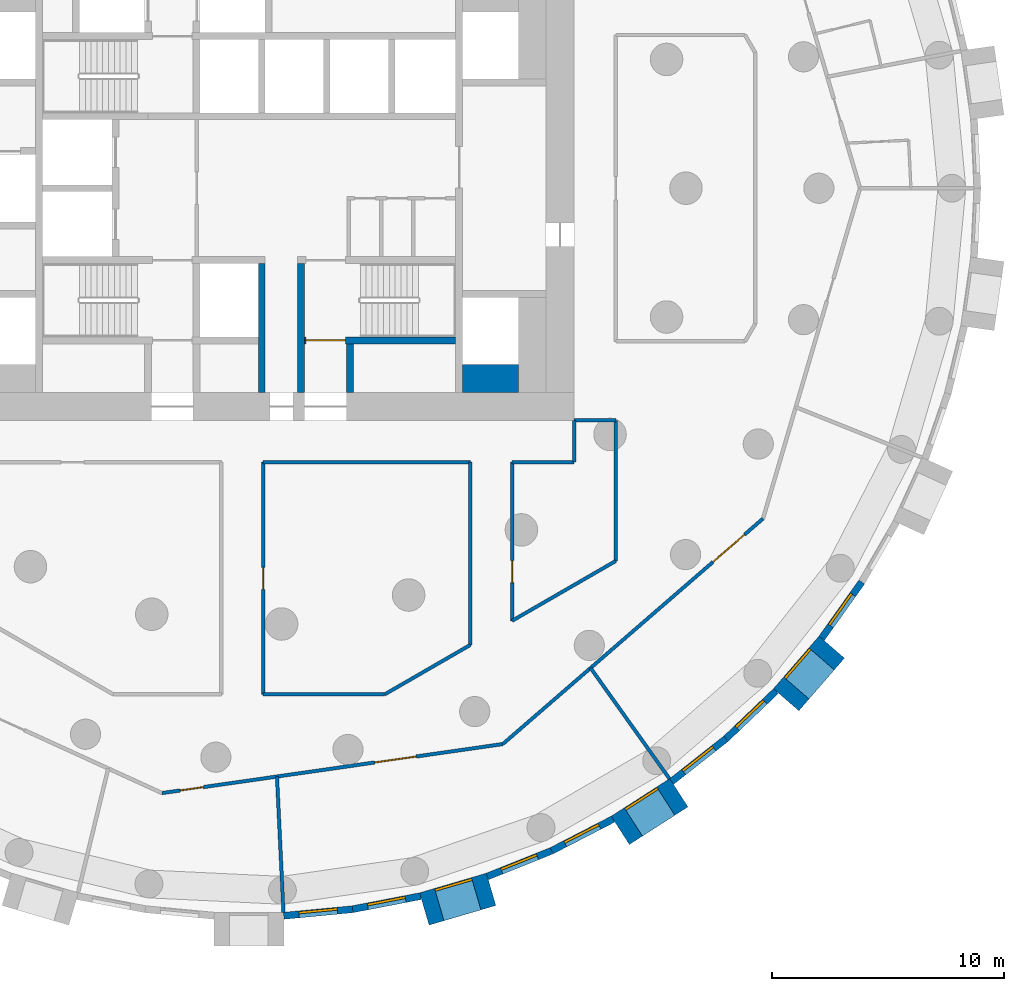
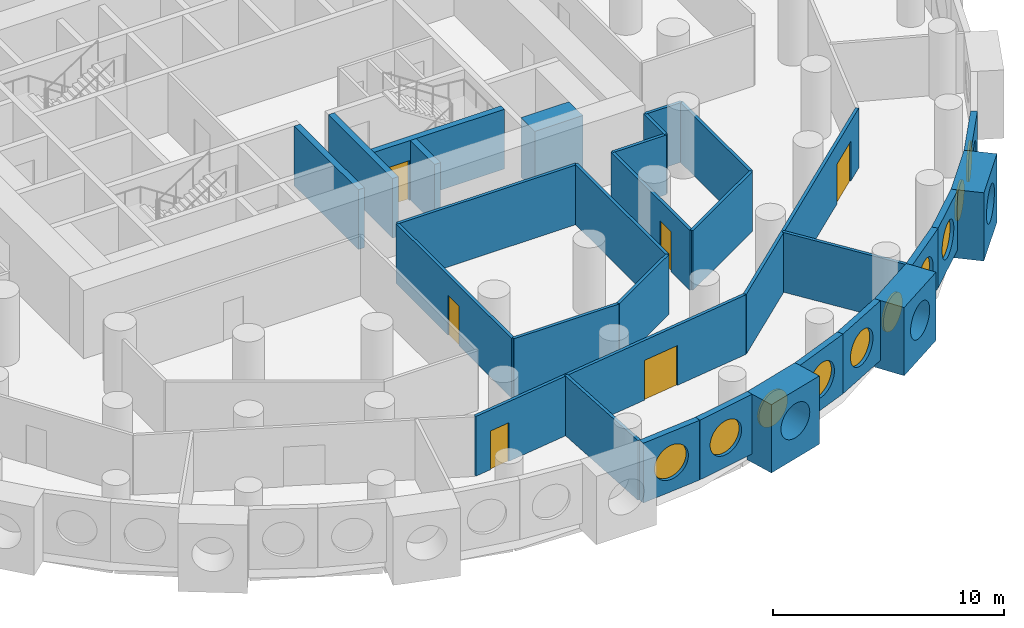
# One storey, part 5 of 12: 30 walls, 10 windows, 6 doors, 16 openings.
"""IFC4 building model written with IfcOpenShell, lengths in metres."""

from ifc_helpers import new_model, si_unit, direction, frame, frame_2d, origin, origin_2d, place, context, subcontext, project, spatial, rectangle, circle, extrude, material, layer, layer_set, type_object, element, fill, save


model = new_model("IFC4")

# Units and contexts
model_context = context("Model", 3, precision=1e-05, world=origin(), true_north=direction((0.0, 1.0)))
body_context = subcontext(model_context, "Body", "Model", "MODEL_VIEW")
ifc_project = project(units=[si_unit("LENGTHUNIT", "METRE"), si_unit("AREAUNIT", "SQUARE_METRE"), si_unit("VOLUMEUNIT", "CUBIC_METRE"), si_unit("PLANEANGLEUNIT", "RADIAN"), si_unit("MASSUNIT", "GRAM", prefix="KILO")], contexts=[model_context])

# Site, building, storey
site_placement = place(None, origin())
site = spatial("IfcSite", under=ifc_project, at=site_placement, CompositionType="ELEMENT")
building_placement = place(site_placement, origin())
building = spatial("IfcBuilding", under=site, at=building_placement, Name="Tracery Tower", CompositionType="ELEMENT")
storey_placement = place(building_placement, frame((0.0, 0.0, 103.800048828125)))
storey = spatial("IfcBuildingStorey", under=building, at=storey_placement, Name="L26", CompositionType="ELEMENT", Elevation=103.800048828125)

# Wall
ifc_material_1 = material(Name="Concrete C60/75", Category="concrete")
ifc_layer_1 = layer(ifc_material_1, 1.199951171875)
ifc_layer_set_1 = layer_set([ifc_layer_1], Name="Core strip wall 1200 C60")
wall_type_1 = type_object("IfcWallType", Name="Core strip wall 1200 C60", PredefinedType="SOLIDWALL", material=ifc_layer_set_1)
wall_1_placement = place(storey_placement, frame((9.199951171875, -8.199951171875, 0.0), z_axis=(0.0, 0.0, 1.0), x_axis=(1.0, 0.0, 0.0)))
element("IfcWall", 1, at=wall_1_placement, inside=storey, type_object=wall_type_1, Name="L26 wing corner +1 -8.2", PredefinedType="SOLIDWALL", context=body_context, shape_type="SweptSolid", body=[
    extrude(rectangle(XDim=2.400146484375, YDim=1.199951171875, at=frame_2d((1.2001953125, 0.0))), origin(), (0.0, 0.0, 1.0), 3.14990234375),
])

# Wall, opening, window
ifc_material_2 = material(Name="Precast concrete C50/60", Category="concrete")
ifc_layer_2 = layer(ifc_material_2, 1.449951171875)
ifc_layer_set_2 = layer_set([ifc_layer_2], Name="Deep-set bay unit 3000 x 3600, slab edge 450")
wall_type_2 = type_object("IfcWallType", Name="Deep-set bay unit 3000 x 3600, slab edge 450", PredefinedType="ELEMENTEDWALL", material=ifc_layer_set_2)
wall_2_placement = place(storey_placement, frame((7.552001953125, -31.043701171875, -0.449951171875), z_axis=(0.0, 0.0, 1.0), x_axis=(0.959489813418, 0.281743319258, 0.0)))
wall_2 = element("IfcWall", 2, at=wall_2_placement, inside=storey, type_object=wall_type_2, Name="Deep-set bay unit 53 at L26", PredefinedType="ELEMENTEDWALL", context=body_context, shape_type="SweptSolid", body=[
    extrude(rectangle(XDim=3.0, YDim=1.449951171875, at=frame_2d((1.5, 0.0))), origin(), (0.0, 0.0, 1.0), 3.599853515625),
])
opening_1_placement = place(wall_2_placement, frame((1.5, 0.0, 2.0)))
opening_1 = element("IfcOpeningElement", 3, at=opening_1_placement, cuts=wall_2, Name="Opening WN1", PredefinedType="OPENING", context=body_context, shape_type="SweptSolid", body=[
    extrude(circle(Radius=0.9000244140625, at=origin_2d()), frame((0.0, 0.73486328125, 0.0), z_axis=(0.0, -1.0, 0.0), x_axis=(1.0, 0.0, 0.0)), (0.0, 0.0, 1.0), 1.469970703125),
])
ifc_material_3 = material(Name="Aluminium frame with tinted double glazing", Category="aluminium")
window_type = type_object("IfcWindowType", Name="Round window 1800", PartitioningType="SINGLE_PANEL", PredefinedType="WINDOW", material=ifc_material_3)
window_1_placement = place(opening_1_placement, origin())
window_1 = element("IfcWindow", 4, at=window_1_placement, inside=storey, type_object=window_type, Name="Round window 53 at L26", OverallHeight=1.800048828125, OverallWidth=1.800048828125, PartitioningType="SINGLE_PANEL", PredefinedType="WINDOW", context=body_context, shape_type="SweptSolid", body=[
    extrude(circle(Radius=0.9000244140625, at=origin_2d()), frame((0.0, 0.69482421875, 0.0), z_axis=(0.0, -1.0, 0.0), x_axis=(1.0, 0.0, 0.0)), (0.0, 0.0, 1.0), 0.10009765625),
])
fill(opening_1, window_1)

wall_3_placement = place(storey_placement, frame((15.9921875, -27.65869140625, -0.449951171875), z_axis=(0.0, 0.0, 1.0), x_axis=(0.841223422347, 0.540687667415, 0.0)))
wall_3 = element("IfcWall", 5, at=wall_3_placement, inside=storey, type_object=wall_type_2, Name="Deep-set bay unit 56 at L26", PredefinedType="ELEMENTEDWALL", context=body_context, shape_type="SweptSolid", body=[
    extrude(rectangle(XDim=3.0, YDim=1.449951171875, at=frame_2d((1.5, 0.0))), origin(), (0.0, 0.0, 1.0), 3.599853515625),
])
opening_2_placement = place(wall_3_placement, frame((1.5, 0.0, 2.0)))
opening_2 = element("IfcOpeningElement", 6, at=opening_2_placement, cuts=wall_3, Name="Opening WN1", PredefinedType="OPENING", context=body_context, shape_type="SweptSolid", body=[
    extrude(circle(Radius=0.9000244140625, at=origin_2d()), frame((0.0, 0.73486328125, 0.0), z_axis=(0.0, -1.0, 0.0), x_axis=(1.0, 0.0, 0.0)), (0.0, 0.0, 1.0), 1.469970703125),
])
window_2_placement = place(opening_2_placement, origin())
window_2 = element("IfcWindow", 7, at=window_2_placement, inside=storey, type_object=window_type, Name="Round window 56 at L26", OverallHeight=1.800048828125, OverallWidth=1.800048828125, PartitioningType="SINGLE_PANEL", PredefinedType="WINDOW", context=body_context, shape_type="SweptSolid", body=[
    extrude(circle(Radius=0.9000244140625, at=origin_2d()), frame((0.0, 0.69482421875, 0.0), z_axis=(0.0, -1.0, 0.0), x_axis=(1.0, 0.0, 0.0)), (0.0, 0.0, 1.0), 0.10009765625),
])
fill(opening_2, window_2)

wall_4_placement = place(storey_placement, frame((23.13671875, -22.03271484375, -0.449951171875), z_axis=(0.0, 0.0, 1.0), x_axis=(0.654890259022, 0.75572398972, 0.0)))
wall_4 = element("IfcWall", 8, at=wall_4_placement, inside=storey, type_object=wall_type_2, Name="Deep-set bay unit 59 at L26", PredefinedType="ELEMENTEDWALL", context=body_context, shape_type="SweptSolid", body=[
    extrude(rectangle(XDim=3.0, YDim=1.449951171875, at=frame_2d((1.5, 0.0))), origin(), (0.0, 0.0, 1.0), 3.599853515625),
])
opening_3_placement = place(wall_4_placement, frame((1.5, 0.0, 2.0)))
opening_3 = element("IfcOpeningElement", 9, at=opening_3_placement, cuts=wall_4, Name="Opening WN1", PredefinedType="OPENING", context=body_context, shape_type="SweptSolid", body=[
    extrude(circle(Radius=0.9000244140625, at=origin_2d()), frame((0.0, 0.73486328125, 0.0), z_axis=(0.0, -1.0, 0.0), x_axis=(1.0, 0.0, 0.0)), (0.0, 0.0, 1.0), 1.469970703125),
])
window_3_placement = place(opening_3_placement, origin())
window_3 = element("IfcWindow", 10, at=window_3_placement, inside=storey, type_object=window_type, Name="Round window 59 at L26", OverallHeight=1.800048828125, OverallWidth=1.800048828125, PartitioningType="SINGLE_PANEL", PredefinedType="WINDOW", context=body_context, shape_type="SweptSolid", body=[
    extrude(circle(Radius=0.9000244140625, at=origin_2d()), frame((0.0, 0.69482421875, 0.0), z_axis=(0.0, -1.0, 0.0), x_axis=(1.0, 0.0, 0.0)), (0.0, 0.0, 1.0), 0.10009765625),
])
fill(opening_3, window_3)

ifc_material_4 = material(Name="Precast concrete C50/60", Category="concrete")
ifc_layer_3 = layer(ifc_material_4, 0.300048828125)
ifc_layer_set_3 = layer_set([ifc_layer_3], Name="Facade panel 3000 x 3150")
wall_type_3 = type_object("IfcWallType", Name="Facade panel 3000 x 3150", PredefinedType="SOLIDWALL", material=ifc_layer_set_3)
wall_5_placement = place(storey_placement, frame((1.498779296875, -31.33837890625, 0.0), z_axis=(0.0, 0.0, 1.0), x_axis=(0.995473351551, 0.095041077185, 0.0)))
wall_5 = element("IfcWall", 11, at=wall_5_placement, inside=storey, type_object=wall_type_3, Name="Facade panel 51 at L26", PredefinedType="SOLIDWALL", context=body_context, shape_type="SweptSolid", body=[
    extrude(rectangle(XDim=2.979736328125, YDim=0.300048828125, at=frame_2d((1.48974609375, 0.0))), origin(), (0.0, 0.0, 1.0), 3.14990234375),
])
opening_4_placement = place(wall_5_placement, frame((1.48974609375, 0.0, 1.5498046875)))
opening_4 = element("IfcOpeningElement", 12, at=opening_4_placement, cuts=wall_5, Name="Opening WN1", PredefinedType="OPENING", context=body_context, shape_type="SweptSolid", body=[
    extrude(circle(Radius=0.9000244140625, at=origin_2d()), frame((0.0, 0.159912109375, 0.0), z_axis=(0.0, -1.0, 0.0), x_axis=(1.0, 0.0, 0.0)), (0.0, 0.0, 1.0), 0.320068359375),
])
window_4_placement = place(opening_4_placement, origin())
window_4 = element("IfcWindow", 13, at=window_4_placement, inside=storey, type_object=window_type, Name="Round window 51 at L26", OverallHeight=1.800048828125, OverallWidth=1.800048828125, PartitioningType="SINGLE_PANEL", PredefinedType="WINDOW", context=body_context, shape_type="SweptSolid", body=[
    extrude(circle(Radius=0.9000244140625, at=origin_2d()), frame((0.0, 0.1201171875, 0.0), z_axis=(0.0, -1.0, 0.0), x_axis=(1.0, 0.0, 0.0)), (0.0, 0.0, 1.0), 0.10009765625),
])
fill(opening_4, window_4)

wall_6_placement = place(storey_placement, frame((4.465087890625, -31.05517578125, 0.0), z_axis=(0.0, 0.0, 1.0), x_axis=(0.981924535406, 0.189272836848, 0.0)))
wall_6 = element("IfcWall", 14, at=wall_6_placement, inside=storey, type_object=wall_type_3, Name="Facade panel 52 at L26", PredefinedType="SOLIDWALL", context=body_context, shape_type="SweptSolid", body=[
    extrude(rectangle(XDim=2.979736328125, YDim=0.300048828125, at=frame_2d((1.48974609375, 0.0))), origin(), (0.0, 0.0, 1.0), 3.14990234375),
])
opening_5_placement = place(wall_6_placement, frame((1.48974609375, 0.0, 1.5498046875)))
opening_5 = element("IfcOpeningElement", 15, at=opening_5_placement, cuts=wall_6, Name="Opening WN1", PredefinedType="OPENING", context=body_context, shape_type="SweptSolid", body=[
    extrude(circle(Radius=0.9000244140625, at=origin_2d()), frame((0.0, 0.159912109375, 0.0), z_axis=(0.0, -1.0, 0.0), x_axis=(1.0, 0.0, 0.0)), (0.0, 0.0, 1.0), 0.320068359375),
])
window_5_placement = place(opening_5_placement, origin())
window_5 = element("IfcWindow", 16, at=window_5_placement, inside=storey, type_object=window_type, Name="Round window 52 at L26", OverallHeight=1.800048828125, OverallWidth=1.800048828125, PartitioningType="SINGLE_PANEL", PredefinedType="WINDOW", context=body_context, shape_type="SweptSolid", body=[
    extrude(circle(Radius=0.9000244140625, at=origin_2d()), frame((0.0, 0.1201171875, 0.0), z_axis=(0.0, -1.0, 0.0), x_axis=(1.0, 0.0, 0.0)), (0.0, 0.0, 1.0), 0.10009765625),
])
fill(opening_5, window_5)

wall_7_placement = place(storey_placement, frame((10.26708984375, -29.646484375, 0.0), z_axis=(0.0, 0.0, 1.0), x_axis=(0.928403213937, 0.371574316054, 0.0)))
wall_7 = element("IfcWall", 17, at=wall_7_placement, inside=storey, type_object=wall_type_3, Name="Facade panel 54 at L26", PredefinedType="SOLIDWALL", context=body_context, shape_type="SweptSolid", body=[
    extrude(rectangle(XDim=2.979736328125, YDim=0.300048828125, at=frame_2d((1.48974609375, 0.0))), origin(), (0.0, 0.0, 1.0), 3.14990234375),
])
opening_6_placement = place(wall_7_placement, frame((1.48974609375, 0.0, 1.5498046875)))
opening_6 = element("IfcOpeningElement", 18, at=opening_6_placement, cuts=wall_7, Name="Opening WN1", PredefinedType="OPENING", context=body_context, shape_type="SweptSolid", body=[
    extrude(circle(Radius=0.9000244140625, at=origin_2d()), frame((0.0, 0.159912109375, 0.0), z_axis=(0.0, -1.0, 0.0), x_axis=(1.0, 0.0, 0.0)), (0.0, 0.0, 1.0), 0.320068359375),
])
window_6_placement = place(opening_6_placement, origin())
window_6 = element("IfcWindow", 19, at=window_6_placement, inside=storey, type_object=window_type, Name="Round window 54 at L26", OverallHeight=1.800048828125, OverallWidth=1.800048828125, PartitioningType="SINGLE_PANEL", PredefinedType="WINDOW", context=body_context, shape_type="SweptSolid", body=[
    extrude(circle(Radius=0.9000244140625, at=origin_2d()), frame((0.0, 0.1201171875, 0.0), z_axis=(0.0, -1.0, 0.0), x_axis=(1.0, 0.0, 0.0)), (0.0, 0.0, 1.0), 0.10009765625),
])
fill(opening_6, window_6)

wall_8_placement = place(storey_placement, frame((13.033447265625, -28.539306640625, 0.0), z_axis=(0.0, 0.0, 1.0), x_axis=(0.888819853856, 0.458256770153, 0.0)))
wall_8 = element("IfcWall", 20, at=wall_8_placement, inside=storey, type_object=wall_type_3, Name="Facade panel 55 at L26", PredefinedType="SOLIDWALL", context=body_context, shape_type="SweptSolid", body=[
    extrude(rectangle(XDim=2.979736328125, YDim=0.300048828125, at=frame_2d((1.48974609375, 0.0))), origin(), (0.0, 0.0, 1.0), 3.14990234375),
])
opening_7_placement = place(wall_8_placement, frame((1.48974609375, 0.0, 1.5498046875)))
opening_7 = element("IfcOpeningElement", 21, at=opening_7_placement, cuts=wall_8, Name="Opening WN1", PredefinedType="OPENING", context=body_context, shape_type="SweptSolid", body=[
    extrude(circle(Radius=0.9000244140625, at=origin_2d()), frame((0.0, 0.159912109375, 0.0), z_axis=(0.0, -1.0, 0.0), x_axis=(1.0, 0.0, 0.0)), (0.0, 0.0, 1.0), 0.320068359375),
])
window_7_placement = place(opening_7_placement, origin())
window_7 = element("IfcWindow", 22, at=window_7_placement, inside=storey, type_object=window_type, Name="Round window 55 at L26", OverallHeight=1.800048828125, OverallWidth=1.800048828125, PartitioningType="SINGLE_PANEL", PredefinedType="WINDOW", context=body_context, shape_type="SweptSolid", body=[
    extrude(circle(Radius=0.9000244140625, at=origin_2d()), frame((0.0, 0.1201171875, 0.0), z_axis=(0.0, -1.0, 0.0), x_axis=(1.0, 0.0, 0.0)), (0.0, 0.0, 1.0), 0.10009765625),
])
fill(opening_7, window_7)

wall_9_placement = place(storey_placement, frame((18.20361328125, -25.55322265625, 0.0), z_axis=(0.0, 0.0, 1.0), x_axis=(0.786045331304, 0.618168858108, 0.0)))
wall_9 = element("IfcWall", 23, at=wall_9_placement, inside=storey, type_object=wall_type_3, Name="Facade panel 57 at L26", PredefinedType="SOLIDWALL", context=body_context, shape_type="SweptSolid", body=[
    extrude(rectangle(XDim=2.979736328125, YDim=0.300048828125, at=frame_2d((1.48974609375, 0.0))), origin(), (0.0, 0.0, 1.0), 3.14990234375),
])
opening_8_placement = place(wall_9_placement, frame((1.48974609375, 0.0, 1.5498046875)))
opening_8 = element("IfcOpeningElement", 24, at=opening_8_placement, cuts=wall_9, Name="Opening WN1", PredefinedType="OPENING", context=body_context, shape_type="SweptSolid", body=[
    extrude(circle(Radius=0.9000244140625, at=origin_2d()), frame((0.0, 0.159912109375, 0.0), z_axis=(0.0, -1.0, 0.0), x_axis=(1.0, 0.0, 0.0)), (0.0, 0.0, 1.0), 0.320068359375),
])
window_8_placement = place(opening_8_placement, origin())
window_8 = element("IfcWindow", 25, at=window_8_placement, inside=storey, type_object=window_type, Name="Round window 57 at L26", OverallHeight=1.800048828125, OverallWidth=1.800048828125, PartitioningType="SINGLE_PANEL", PredefinedType="WINDOW", context=body_context, shape_type="SweptSolid", body=[
    extrude(circle(Radius=0.9000244140625, at=origin_2d()), frame((0.0, 0.1201171875, 0.0), z_axis=(0.0, -1.0, 0.0), x_axis=(1.0, 0.0, 0.0)), (0.0, 0.0, 1.0), 0.10009765625),
])
fill(opening_8, window_8)

wall_10_placement = place(storey_placement, frame((20.5458984375, -23.711181640625, 0.0), z_axis=(0.0, 0.0, 1.0), x_axis=(0.723744206617, 0.690068346896, 0.0)))
wall_10 = element("IfcWall", 26, at=wall_10_placement, inside=storey, type_object=wall_type_3, Name="Facade panel 58 at L26", PredefinedType="SOLIDWALL", context=body_context, shape_type="SweptSolid", body=[
    extrude(rectangle(XDim=2.979736328125, YDim=0.300048828125, at=frame_2d((1.48974609375, 0.0))), origin(), (0.0, 0.0, 1.0), 3.14990234375),
])
opening_9_placement = place(wall_10_placement, frame((1.48974609375, 0.0, 1.5498046875)))
opening_9 = element("IfcOpeningElement", 27, at=opening_9_placement, cuts=wall_10, Name="Opening WN1", PredefinedType="OPENING", context=body_context, shape_type="SweptSolid", body=[
    extrude(circle(Radius=0.9000244140625, at=origin_2d()), frame((0.0, 0.159912109375, 0.0), z_axis=(0.0, -1.0, 0.0), x_axis=(1.0, 0.0, 0.0)), (0.0, 0.0, 1.0), 0.320068359375),
])
window_9_placement = place(opening_9_placement, origin())
window_9 = element("IfcWindow", 28, at=window_9_placement, inside=storey, type_object=window_type, Name="Round window 58 at L26", OverallHeight=1.800048828125, OverallWidth=1.800048828125, PartitioningType="SINGLE_PANEL", PredefinedType="WINDOW", context=body_context, shape_type="SweptSolid", body=[
    extrude(circle(Radius=0.9000244140625, at=origin_2d()), frame((0.0, 0.1201171875, 0.0), z_axis=(0.0, -1.0, 0.0), x_axis=(1.0, 0.0, 0.0)), (0.0, 0.0, 1.0), 0.10009765625),
])
fill(opening_9, window_9)

wall_11_placement = place(storey_placement, frame((24.66552734375, -19.389404296875, 0.0), z_axis=(0.0, 0.0, 1.0), x_axis=(0.580059407678, 0.81457417315, 0.0)))
wall_11 = element("IfcWall", 29, at=wall_11_placement, inside=storey, type_object=wall_type_3, Name="Facade panel 60 at L26", PredefinedType="SOLIDWALL", context=body_context, shape_type="SweptSolid", body=[
    extrude(rectangle(XDim=2.9794921875, YDim=0.300048828125, at=frame_2d((1.48974609375, 0.0))), origin(), (0.0, 0.0, 1.0), 3.14990234375),
])
opening_10_placement = place(wall_11_placement, frame((1.48974609375, 0.0, 1.5498046875)))
opening_10 = element("IfcOpeningElement", 30, at=opening_10_placement, cuts=wall_11, Name="Opening WN1", PredefinedType="OPENING", context=body_context, shape_type="SweptSolid", body=[
    extrude(circle(Radius=0.9000244140625, at=origin_2d()), frame((0.0, 0.159912109375, 0.0), z_axis=(0.0, -1.0, 0.0), x_axis=(1.0, 0.0, 0.0)), (0.0, 0.0, 1.0), 0.320068359375),
])
window_10_placement = place(opening_10_placement, origin())
window_10 = element("IfcWindow", 31, at=window_10_placement, inside=storey, type_object=window_type, Name="Round window 60 at L26", OverallHeight=1.800048828125, OverallWidth=1.800048828125, PartitioningType="SINGLE_PANEL", PredefinedType="WINDOW", context=body_context, shape_type="SweptSolid", body=[
    extrude(circle(Radius=0.9000244140625, at=origin_2d()), frame((0.0, 0.1201171875, 0.0), z_axis=(0.0, -1.0, 0.0), x_axis=(1.0, 0.0, 0.0)), (0.0, 0.0, 1.0), 0.10009765625),
])
fill(opening_10, window_10)

# Walls
ifc_material_5 = material(Name="Plasterboard on steel studs", Category="steel")
ifc_layer_4 = layer(ifc_material_5, 0.14990234375)
ifc_layer_set_4 = layer_set([ifc_layer_4], Name="Partition 150 acoustic unit wall")
wall_type_4 = type_object("IfcWallType", Name="Partition 150 acoustic unit wall", PredefinedType="PARTITIONING", material=ifc_layer_set_4)
wall_12_placement = place(storey_placement, frame((1.20703125, -25.339111328125, 0.0), z_axis=(0.0, 0.0, 1.0), x_axis=(0.047648334785, -0.998864173045, 0.0)))
element("IfcWall", 32, at=wall_12_placement, inside=storey, type_object=wall_type_4, Name="Unit wall RA8-114", PredefinedType="PARTITIONING", context=body_context, shape_type="SweptSolid", body=[
    extrude(rectangle(XDim=5.8564453125, YDim=0.14990234375, at=frame_2d((2.92822265625, 0.0))), origin(), (0.0, 0.0, 1.0), 3.14990234375),
])
wall_13_placement = place(storey_placement, frame((14.715087890625, -20.6640625, 0.0), z_axis=(0.0, 0.0, 1.0), x_axis=(0.580007254017, -0.814611309329, 0.0)))
element("IfcWall", 33, at=wall_13_placement, inside=storey, type_object=wall_type_4, Name="Unit wall RA8-115", PredefinedType="PARTITIONING", context=body_context, shape_type="SweptSolid", body=[
    extrude(rectangle(XDim=5.856689453125, YDim=0.14990234375, at=frame_2d((2.92822265625, 0.0))), origin(), (0.0, 0.0, 1.0), 3.14990234375),
])
ifc_material_6 = material(Name="Plasterboard on steel studs", Category="steel")
ifc_layer_5 = layer(ifc_material_6, 0.14990234375)
ifc_layer_set_5 = layer_set([ifc_layer_5], Name="Partition 150 corridor wall")
wall_type_5 = type_object("IfcWallType", Name="Partition 150 corridor wall", PredefinedType="PARTITIONING", material=ifc_layer_set_5)
wall_14_placement = place(storey_placement, frame((0.60400390625, -11.800048828125, 0.0), z_axis=(0.0, 0.0, 1.0), x_axis=(1.0, 0.0, 0.0)))
element("IfcWall", 34, at=wall_14_placement, inside=storey, type_object=wall_type_5, Name="Corridor wall RA8-007", PredefinedType="PARTITIONING", context=body_context, shape_type="SweptSolid", body=[
    extrude(rectangle(XDim=8.93603515625, YDim=0.14990234375, at=frame_2d((4.468017578125, 0.0))), origin(), (0.0, 0.0, 1.0), 3.14990234375),
])
wall_15_placement = place(storey_placement, frame((14.0, -11.800048828125, 0.0), z_axis=(0.0, 0.0, 1.0), x_axis=(0.0, 1.0, 0.0)))
element("IfcWall", 35, at=wall_15_placement, inside=storey, type_object=wall_type_5, Name="Corridor wall RA8-008", PredefinedType="PARTITIONING", context=body_context, shape_type="SweptSolid", body=[
    extrude(rectangle(XDim=1.800048828125, YDim=0.14990234375, at=frame_2d((0.89990234375, 0.0))), origin(), (0.0, 0.0, 1.0), 3.14990234375),
])
wall_16_placement = place(storey_placement, frame((11.33203125, -11.800048828125, 0.0), z_axis=(0.0, 0.0, 1.0), x_axis=(1.0, 0.0, 0.0)))
element("IfcWall", 36, at=wall_16_placement, inside=storey, type_object=wall_type_5, Name="Corridor wall RA8-009", PredefinedType="PARTITIONING", context=body_context, shape_type="SweptSolid", body=[
    extrude(rectangle(XDim=2.66796875, YDim=0.14990234375, at=frame_2d((1.333984375, 0.0))), origin(), (0.0, 0.0, 1.0), 3.14990234375),
])
wall_17_placement = place(storey_placement, frame((14.0, -10.0, 0.0), z_axis=(0.0, 0.0, 1.0), x_axis=(1.0, 0.0, 0.0)))
element("IfcWall", 37, at=wall_17_placement, inside=storey, type_object=wall_type_5, Name="Corridor wall RA8-011", PredefinedType="PARTITIONING", context=body_context, shape_type="SweptSolid", body=[
    extrude(rectangle(XDim=1.800048828125, YDim=0.14990234375, at=frame_2d((0.89990234375, 0.0))), origin(), (0.0, 0.0, 1.0), 3.14990234375),
])
wall_18_placement = place(storey_placement, frame((15.800048828125, -16.052978515625, 0.0), z_axis=(0.0, 0.0, 1.0), x_axis=(0.0, 1.0, 0.0)))
element("IfcWall", 38, at=wall_18_placement, inside=storey, type_object=wall_type_5, Name="Corridor wall RA8-015", PredefinedType="PARTITIONING", context=body_context, shape_type="SweptSolid", body=[
    extrude(rectangle(XDim=6.056884765625, YDim=0.14990234375, at=frame_2d((3.0283203125, 0.0))), origin(), (0.0, 0.0, 1.0), 3.14990234375),
])

# Wall, opening, door
wall_19_placement = place(storey_placement, frame((10.93310546875, -23.940185546875, 0.0), z_axis=(0.0, 0.0, 1.0), x_axis=(0.755770011705, 0.654837147242, 0.0)))
wall_19 = element("IfcWall", 39, at=wall_19_placement, inside=storey, type_object=wall_type_5, Name="Corridor wall RA8-024", PredefinedType="PARTITIONING", context=body_context, shape_type="SweptSolid", body=[
    extrude(rectangle(XDim=14.829833984375, YDim=0.14990234375, at=frame_2d((7.4150390625, 0.0))), origin(), (0.0, 0.0, 1.0), 3.14990234375),
])
opening_11_placement = place(wall_19_placement, frame((11.975830078125, 0.0, 0.0)))
opening_11 = element("IfcOpeningElement", 40, at=opening_11_placement, cuts=wall_19, Name="Opening RA8-48", PredefinedType="OPENING", context=body_context, shape_type="SweptSolid", body=[
    extrude(rectangle(XDim=1.800048828125, YDim=2.10009765625, at=frame_2d((0.89990234375, 1.050048828125))), frame((0.0, 0.074951171875, 0.0), z_axis=(0.0, -1.0, 0.0), x_axis=(1.0, 0.0, 0.0)), (0.0, 0.0, 1.0), 0.14990234375),
])
ifc_material_7 = material(Name="Timber door leaf", Category="wood")
door_type_1 = type_object("IfcDoorType", Name="Door double lounge 1800", OperationType="NOTDEFINED", PredefinedType="DOOR", material=ifc_material_7)
door_1_placement = place(opening_11_placement, origin())
door_1 = element("IfcDoor", 41, at=door_1_placement, inside=storey, type_object=door_type_1, Name="Double lounge door RA8-48", OperationType="DOUBLE_DOOR_SINGLE_SWING", OverallHeight=2.10009765625, OverallWidth=1.800048828125, PredefinedType="DOOR", context=body_context, shape_type="SweptSolid", body=[
    extrude(rectangle(XDim=1.800048828125, YDim=2.10009765625, at=frame_2d((0.89990234375, 1.050048828125))), frame((0.0, 0.02490234375, 0.0), z_axis=(0.0, -1.0, 0.0), x_axis=(1.0, 0.0, 0.0)), (0.0, 0.0, 1.0), 0.050048828125),
])
fill(opening_11, door_1)

wall_20_placement = place(storey_placement, frame((0.60791015625, -21.802001953125, 0.0), z_axis=(0.0, 0.0, 1.0), x_axis=(0.0, 1.0, 0.0)))
wall_20 = element("IfcWall", 42, at=wall_20_placement, inside=storey, type_object=wall_type_5, Name="Corridor wall RA8-051", PredefinedType="PARTITIONING", context=body_context, shape_type="SweptSolid", body=[
    extrude(rectangle(XDim=10.001953125, YDim=0.14990234375, at=frame_2d((5.0009765625, 0.0))), origin(), (0.0, 0.0, 1.0), 3.14990234375),
])
opening_12_placement = place(wall_20_placement, frame((4.52587890625, 0.0, 0.0)))
opening_12 = element("IfcOpeningElement", 43, at=opening_12_placement, cuts=wall_20, Name="Opening RA8-05", PredefinedType="OPENING", context=body_context, shape_type="SweptSolid", body=[
    extrude(rectangle(XDim=0.949951171875, YDim=2.10009765625, at=frame_2d((0.47509765625, 1.050048828125))), frame((0.0, 0.074951171875, 0.0), z_axis=(0.0, -1.0, 0.0), x_axis=(1.0, 0.0, 0.0)), (0.0, 0.0, 1.0), 0.14990234375),
])
ifc_material_8 = material(Name="Timber door leaf", Category="wood")
door_type_2 = type_object("IfcDoorType", Name="Door store 950", OperationType="NOTDEFINED", PredefinedType="DOOR", material=ifc_material_8)
door_2_placement = place(opening_12_placement, origin())
door_2 = element("IfcDoor", 44, at=door_2_placement, inside=storey, type_object=door_type_2, Name="Store door RA8-05", OperationType="SINGLE_SWING_RIGHT", OverallHeight=2.10009765625, OverallWidth=0.949951171875, PredefinedType="DOOR", context=body_context, shape_type="SweptSolid", body=[
    extrude(rectangle(XDim=0.949951171875, YDim=2.10009765625, at=frame_2d((0.47509765625, 1.050048828125))), frame((0.0, 0.02490234375, 0.0), z_axis=(0.0, -1.0, 0.0), x_axis=(1.0, 0.0, 0.0)), (0.0, 0.0, 1.0), 0.050048828125),
])
fill(opening_12, door_2)

# Walls
wall_21_placement = place(storey_placement, frame((0.60791015625, -21.802001953125, 0.0), z_axis=(0.0, 0.0, 1.0), x_axis=(1.0, 0.0, 0.0)))
element("IfcWall", 45, at=wall_21_placement, inside=storey, type_object=wall_type_5, Name="Corridor wall RA8-052", PredefinedType="PARTITIONING", context=body_context, shape_type="SweptSolid", body=[
    extrude(rectangle(XDim=5.234130859375, YDim=0.14990234375, at=frame_2d((2.6171875, 0.0))), origin(), (0.0, 0.0, 1.0), 3.14990234375),
])
wall_22_placement = place(storey_placement, frame((5.842041015625, -21.802001953125, 0.0), z_axis=(0.0, 0.0, 1.0), x_axis=(0.865983505205, 0.500072563448, 0.0)))
element("IfcWall", 46, at=wall_22_placement, inside=storey, type_object=wall_type_5, Name="Corridor wall RA8-053", PredefinedType="PARTITIONING", context=body_context, shape_type="SweptSolid", body=[
    extrude(rectangle(XDim=4.265380859375, YDim=0.14990234375, at=frame_2d((2.1328125, 0.0))), origin(), (0.0, 0.0, 1.0), 3.14990234375),
])
wall_23_placement = place(storey_placement, frame((9.535888671875, -19.6689453125, 0.0), z_axis=(0.0, 0.0, 1.0), x_axis=(0.0, 1.0, 0.0)))
element("IfcWall", 47, at=wall_23_placement, inside=storey, type_object=wall_type_5, Name="Corridor wall RA8-054", PredefinedType="PARTITIONING", context=body_context, shape_type="SweptSolid", body=[
    extrude(rectangle(XDim=7.868896484375, YDim=0.14990234375, at=frame_2d((3.9345703125, 0.0))), origin(), (0.0, 0.0, 1.0), 3.14990234375),
])

# Wall, opening, door
wall_24_placement = place(storey_placement, frame((11.3359375, -18.6298828125, 0.0), z_axis=(0.0, 0.0, 1.0), x_axis=(0.0, 1.0, 0.0)))
wall_24 = element("IfcWall", 48, at=wall_24_placement, inside=storey, type_object=wall_type_5, Name="Corridor wall RA8-055", PredefinedType="PARTITIONING", context=body_context, shape_type="SweptSolid", body=[
    extrude(rectangle(XDim=6.829833984375, YDim=0.14990234375, at=frame_2d((3.4150390625, 0.0))), origin(), (0.0, 0.0, 1.0), 3.14990234375),
])
opening_13_placement = place(wall_24_placement, frame((1.639892578125, 0.0, 0.0)))
opening_13 = element("IfcOpeningElement", 49, at=opening_13_placement, cuts=wall_24, Name="Opening RA8-06", PredefinedType="OPENING", context=body_context, shape_type="SweptSolid", body=[
    extrude(rectangle(XDim=0.949951171875, YDim=2.10009765625, at=frame_2d((0.47509765625, 1.050048828125))), frame((0.0, 0.074951171875, 0.0), z_axis=(0.0, -1.0, 0.0), x_axis=(1.0, 0.0, 0.0)), (0.0, 0.0, 1.0), 0.14990234375),
])
door_3_placement = place(opening_13_placement, origin())
door_3 = element("IfcDoor", 50, at=door_3_placement, inside=storey, type_object=door_type_2, Name="Store door RA8-06", OperationType="SINGLE_SWING_RIGHT", OverallHeight=2.10009765625, OverallWidth=0.949951171875, PredefinedType="DOOR", context=body_context, shape_type="SweptSolid", body=[
    extrude(rectangle(XDim=0.949951171875, YDim=2.10009765625, at=frame_2d((0.47509765625, 1.050048828125))), frame((0.0, 0.02490234375, 0.0), z_axis=(0.0, -1.0, 0.0), x_axis=(1.0, 0.0, 0.0)), (0.0, 0.0, 1.0), 0.050048828125),
])
fill(opening_13, door_3)

# Wall
wall_25_placement = place(storey_placement, frame((11.3359375, -18.6298828125, 0.0), z_axis=(0.0, 0.0, 1.0), x_axis=(0.866063337164, 0.499934291702, 0.0)))
element("IfcWall", 51, at=wall_25_placement, inside=storey, type_object=wall_type_5, Name="Corridor wall RA8-056", PredefinedType="PARTITIONING", context=body_context, shape_type="SweptSolid", body=[
    extrude(rectangle(XDim=5.154541015625, YDim=0.14990234375, at=frame_2d((2.5771484375, 0.0))), origin(), (0.0, 0.0, 1.0), 3.14990234375),
])

# Wall, openings, doors
wall_26_placement = place(storey_placement, frame((-3.74609375, -26.051025390625, 0.0), z_axis=(0.0, 0.0, 1.0), x_axis=(0.9898137179, 0.142368549395, 0.0)))
wall_26 = element("IfcWall", 52, at=wall_26_placement, inside=storey, type_object=wall_type_5, Name="Corridor wall RA8-058", PredefinedType="PARTITIONING", context=body_context, shape_type="SweptSolid", body=[
    extrude(rectangle(XDim=14.830078125, YDim=0.14990234375, at=frame_2d((7.4150390625, 0.0))), origin(), (0.0, 0.0, 1.0), 3.14990234375),
])
opening_14_placement = place(wall_26_placement, frame((0.803955078125, 0.0, 0.0)))
opening_14 = element("IfcOpeningElement", 53, at=opening_14_placement, cuts=wall_26, Name="Opening RA8-46", PredefinedType="OPENING", context=body_context, shape_type="SweptSolid", body=[
    extrude(rectangle(XDim=1.0, YDim=2.0400390625, at=frame_2d((0.5, 1.02001953125))), frame((0.0, 0.074951171875, 0.0), z_axis=(0.0, -1.0, 0.0), x_axis=(1.0, 0.0, 0.0)), (0.0, 0.0, 1.0), 0.14990234375),
])
opening_15_placement = place(wall_26_placement, frame((9.264892578125, 0.0, 0.0)))
opening_15 = element("IfcOpeningElement", 54, at=opening_15_placement, cuts=wall_26, Name="Opening RA8-47", PredefinedType="OPENING", context=body_context, shape_type="SweptSolid", body=[
    extrude(rectangle(XDim=1.800048828125, YDim=2.10009765625, at=frame_2d((0.89990234375, 1.050048828125))), frame((0.0, 0.074951171875, 0.0), z_axis=(0.0, -1.0, 0.0), x_axis=(1.0, 0.0, 0.0)), (0.0, 0.0, 1.0), 0.14990234375),
])
ifc_material_9 = material(Name="Timber door leaf", Category="wood")
door_type_3 = type_object("IfcDoorType", Name="Door communal room 1000", OperationType="NOTDEFINED", PredefinedType="DOOR", material=ifc_material_9)
door_4_placement = place(opening_14_placement, origin())
door_4 = element("IfcDoor", 55, at=door_4_placement, inside=storey, type_object=door_type_3, Name="Communal room door RA8-46", OperationType="SINGLE_SWING_RIGHT", OverallHeight=2.0400390625, OverallWidth=1.0, PredefinedType="DOOR", context=body_context, shape_type="SweptSolid", body=[
    extrude(rectangle(XDim=1.0, YDim=2.0400390625, at=frame_2d((0.5, 1.02001953125))), frame((0.0, 0.02490234375, 0.0), z_axis=(0.0, -1.0, 0.0), x_axis=(1.0, 0.0, 0.0)), (0.0, 0.0, 1.0), 0.050048828125),
])
fill(opening_14, door_4)
door_5_placement = place(opening_15_placement, origin())
door_5 = element("IfcDoor", 56, at=door_5_placement, inside=storey, type_object=door_type_1, Name="Double lounge door RA8-47", OperationType="DOUBLE_DOOR_SINGLE_SWING", OverallHeight=2.10009765625, OverallWidth=1.800048828125, PredefinedType="DOOR", context=body_context, shape_type="SweptSolid", body=[
    extrude(rectangle(XDim=1.800048828125, YDim=2.10009765625, at=frame_2d((0.89990234375, 1.050048828125))), frame((0.0, 0.02490234375, 0.0), z_axis=(0.0, -1.0, 0.0), x_axis=(1.0, 0.0, 0.0)), (0.0, 0.0, 1.0), 0.050048828125),
])
fill(opening_15, door_5)

# Walls
ifc_material_10 = material(Name="Concrete C60/75", Category="concrete")
ifc_layer_6 = layer(ifc_material_10, 0.300048828125)
ifc_layer_set_6 = layer_set([ifc_layer_6], Name="Shaft wall 300 C60")
wall_type_6 = type_object("IfcWallType", Name="Shaft wall 300 C60", PredefinedType="SOLIDWALL", material=ifc_layer_set_6)
wall_27_placement = place(storey_placement, frame((0.550048828125, -8.800048828125, 0.0), z_axis=(0.0, 0.0, 1.0), x_axis=(0.0, 1.0, 0.0)))
element("IfcWall", 57, at=wall_27_placement, inside=storey, type_object=wall_type_6, Name="L26 OB2 E", PredefinedType="SOLIDWALL", context=body_context, shape_type="SweptSolid", body=[
    extrude(rectangle(XDim=5.550048828125, YDim=0.300048828125, at=frame_2d((2.77490234375, 0.0))), origin(), (0.0, 0.0, 1.0), 3.14990234375),
])
wall_28_placement = place(storey_placement, frame((4.35009765625, -8.800048828125, 0.0), z_axis=(0.0, 0.0, 1.0), x_axis=(0.0, 1.0, 0.0)))
element("IfcWall", 58, at=wall_28_placement, inside=storey, type_object=wall_type_6, Name="L26 band S +4.35", PredefinedType="SOLIDWALL", context=body_context, shape_type="SweptSolid", body=[
    extrude(rectangle(XDim=2.10009765625, YDim=0.300048828125, at=frame_2d((1.050048828125, 0.0))), origin(), (0.0, 0.0, 1.0), 3.14990234375),
])
ifc_material_11 = material(Name="Concrete C60/75", Category="concrete")
ifc_layer_7 = layer(ifc_material_11, 0.300048828125)
ifc_layer_set_7 = layer_set([ifc_layer_7], Name="Stair wall 300 C60")
wall_type_7 = type_object("IfcWallType", Name="Stair wall 300 C60", PredefinedType="SOLIDWALL", material=ifc_layer_set_7)
wall_29_placement = place(storey_placement, frame((2.25, -8.800048828125, 0.0), z_axis=(0.0, 0.0, 1.0), x_axis=(0.0, 1.0, 0.0)))
element("IfcWall", 59, at=wall_29_placement, inside=storey, type_object=wall_type_7, Name="L26 ST2 W", PredefinedType="SOLIDWALL", context=body_context, shape_type="SweptSolid", body=[
    extrude(rectangle(XDim=5.550048828125, YDim=0.300048828125, at=frame_2d((2.77490234375, 0.0))), origin(), (0.0, 0.0, 1.0), 3.14990234375),
])

# Wall, opening, door
wall_30_placement = place(storey_placement, frame((2.39990234375, -6.550048828125, 0.0), z_axis=(0.0, 0.0, 1.0), x_axis=(1.0, 0.0, 0.0)))
wall_30 = element("IfcWall", 60, at=wall_30_placement, inside=storey, type_object=wall_type_7, Name="L26 F S E", PredefinedType="SOLIDWALL", context=body_context, shape_type="SweptSolid", body=[
    extrude(rectangle(XDim=6.5, YDim=0.300048828125, at=frame_2d((3.25, 0.0))), origin(), (0.0, 0.0, 1.0), 3.14990234375),
])
opening_16_placement = place(wall_30_placement, frame((0.050048828125, 0.0, 0.0)))
opening_16 = element("IfcOpeningElement", 61, at=opening_16_placement, cuts=wall_30, Name="Opening KD3", PredefinedType="OPENING", context=body_context, shape_type="SweptSolid", body=[
    extrude(rectangle(XDim=1.699951171875, YDim=2.10009765625, at=frame_2d((0.85009765625, 1.050048828125))), frame((0.0, 0.14990234375, 0.0), z_axis=(0.0, -1.0, 0.0), x_axis=(1.0, 0.0, 0.0)), (0.0, 0.0, 1.0), 0.300048828125),
])
ifc_material_12 = material(Name="Steel fire door", Category="steel")
door_type_4 = type_object("IfcDoorType", Name="Core stair door 1700 double", OperationType="NOTDEFINED", PredefinedType="DOOR", material=ifc_material_12)
door_6_placement = place(opening_16_placement, origin())
door_6 = element("IfcDoor", 62, at=door_6_placement, inside=storey, type_object=door_type_4, Name="Stair door ST2 S", OperationType="DOUBLE_DOOR_SINGLE_SWING", OverallHeight=2.10009765625, OverallWidth=1.699951171875, PredefinedType="DOOR", context=body_context, shape_type="SweptSolid", body=[
    extrude(rectangle(XDim=1.699951171875, YDim=2.10009765625, at=frame_2d((0.85009765625, 1.050048828125))), frame((0.0, 0.02490234375, 0.0), z_axis=(0.0, -1.0, 0.0), x_axis=(1.0, 0.0, 0.0)), (0.0, 0.0, 1.0), 0.050048828125),
])
fill(opening_16, door_6)

save(model, "model.ifc")
